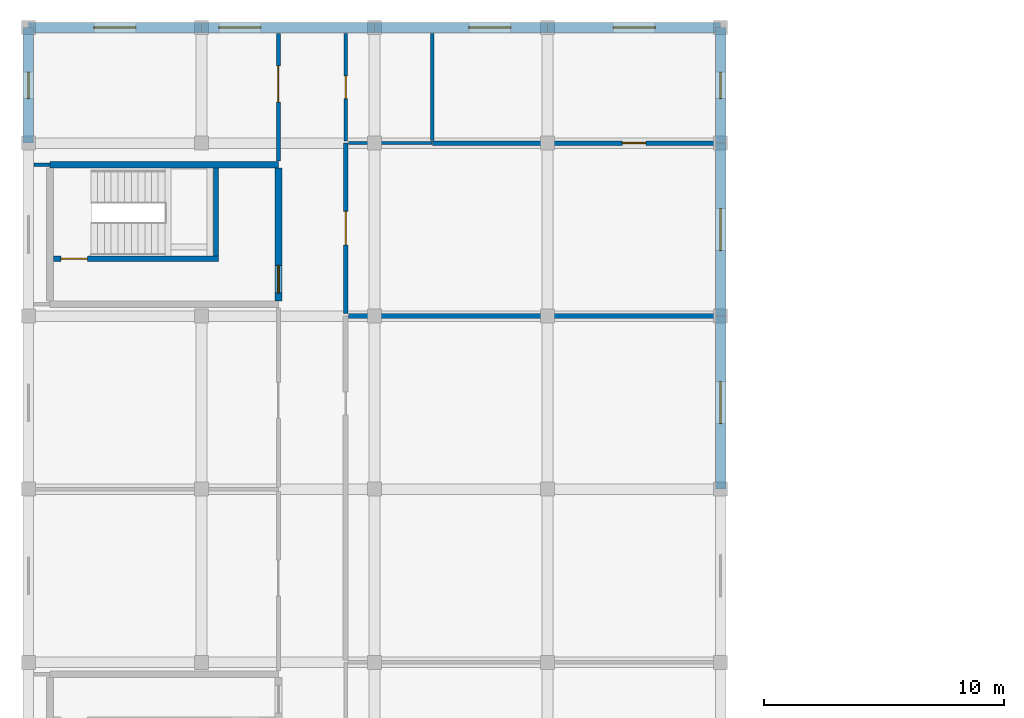
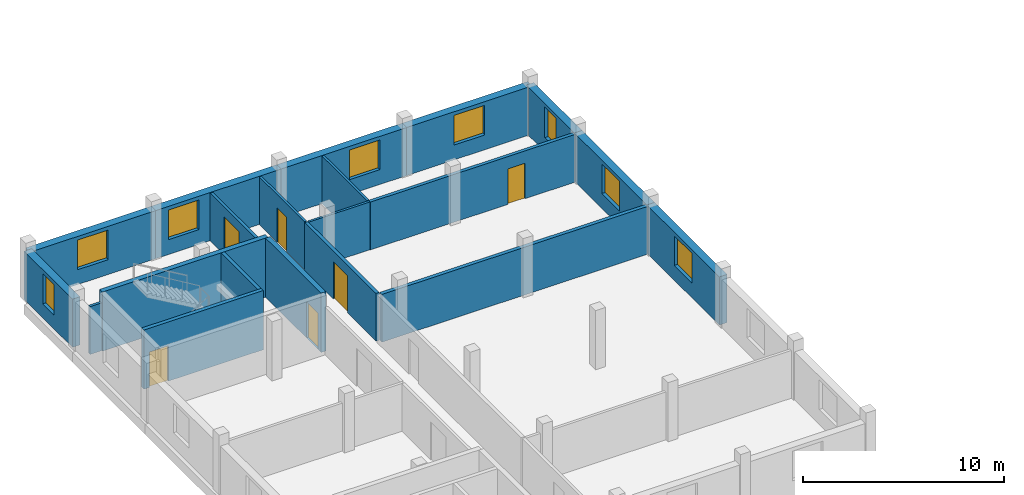
# One storey, part 114 of 128: 20 walls, 8 windows, 6 doors, 14 openings.
"""IFC4 building model written with IfcOpenShell, lengths in metres."""

from ifc_helpers import new_model, si_unit, direction, frame, frame_2d, origin, place, context, subcontext, project, spatial, rectangle, extrude, material, layer, layer_set, type_object, element, fill, save


model = new_model("IFC4")

# Units and contexts
model_context = context("Model", 3, precision=1e-05, world=origin(), true_north=direction((0.0, 1.0)))
body_context = subcontext(model_context, "Body", "Model", "MODEL_VIEW")
ifc_project = project(units=[si_unit("LENGTHUNIT", "METRE"), si_unit("AREAUNIT", "SQUARE_METRE"), si_unit("VOLUMEUNIT", "CUBIC_METRE"), si_unit("PLANEANGLEUNIT", "RADIAN"), si_unit("MASSUNIT", "GRAM", prefix="KILO")], contexts=[model_context])

# Site, building, storey
site_placement = place(None, origin())
site = spatial("IfcSite", under=ifc_project, at=site_placement, CompositionType="ELEMENT")
building_placement = place(site_placement, origin())
building = spatial("IfcBuilding", under=site, at=building_placement, Name="Zornivar Specialist Clinic", CompositionType="ELEMENT")
storey_placement = place(building_placement, frame((0.0, 0.0, 4.5)))
storey = spatial("IfcBuildingStorey", under=building, at=storey_placement, Name="L01", CompositionType="ELEMENT", Elevation=4.5)

# Wall, opening, window
ifc_material_1 = material(Name="Masonry Rusticated Vratsa Limestone Procedure Base Wall", Category="masonry")
ifc_layer_1 = layer(ifc_material_1, 0.43994140625)
ifc_layer_set_1 = layer_set([ifc_layer_1], Name="Masonry Rusticated Vratsa Limestone Procedure Base Wall")
wall_type_1 = type_object("IfcWallType", Name="EW-PLINTH-WEST-440", PredefinedType="SOLIDWALL", material=ifc_layer_set_1)
wall_1_placement = place(storey_placement, frame((28.800048828125, 93.60009765625, 0.0), z_axis=(0.0, 0.0, 1.0), x_axis=(0.0, 1.0, 0.0)))
wall_1 = element("IfcWall", 1, at=wall_1_placement, inside=storey, type_object=wall_type_1, Name="ew:V5:L01:06", PredefinedType="SOLIDWALL", context=body_context, shape_type="SweptSolid", body=[
    extrude(rectangle(XDim=7.199951171875, YDim=0.43994140625, at=frame_2d((3.60009765625, 0.0))), origin(), (0.0, 0.0, 1.0), 2.919921875),
])
opening_1_placement = place(wall_1_placement, frame((2.72509765625, 0.0, 0.89990234375)))
opening_1 = element("IfcOpeningElement", 2, at=opening_1_placement, cuts=wall_1, Name="Opening W-17", PredefinedType="OPENING", context=body_context, shape_type="SweptSolid", body=[
    extrude(rectangle(XDim=1.75, YDim=1.800048828125, at=frame_2d((0.875, 0.89990234375))), frame((0.0, 0.22998046875, 0.0), z_axis=(0.0, -1.0, 0.0), x_axis=(1.0, 0.0, 0.0)), (0.0, 0.0, 1.0), 0.4599609375),
])
ifc_material_2 = material(Name="Triple-Glazed Aluminium-Timber Window Glass", Category="wood")
window_type_1 = type_object("IfcWindowType", Name="WIN-PROC-COURT-1750x1800", PartitioningType="SINGLE_PANEL", PredefinedType="WINDOW", material=ifc_material_2)
window_1_placement = place(opening_1_placement, origin())
window_1 = element("IfcWindow", 3, at=window_1_placement, inside=storey, type_object=window_type_1, Name="win:V5:L01:06", OverallHeight=1.800048828125, OverallWidth=1.75, PartitioningType="SINGLE_PANEL", PredefinedType="WINDOW", context=body_context, shape_type="SweptSolid", body=[
    extrude(rectangle(XDim=1.75, YDim=1.800048828125, at=frame_2d((0.875, 0.89990234375))), frame((0.0, 0.030029296875, 0.0), z_axis=(0.0, -1.0, 0.0), x_axis=(1.0, 0.0, 0.0)), (0.0, 0.0, 1.0), 0.06005859375),
])
fill(opening_1, window_1)

wall_2_placement = place(storey_placement, frame((28.800048828125, 100.800048828125, 0.0), z_axis=(0.0, 0.0, 1.0), x_axis=(0.0, 1.0, 0.0)))
wall_2 = element("IfcWall", 4, at=wall_2_placement, inside=storey, type_object=wall_type_1, Name="ew:V5:L01:07", PredefinedType="SOLIDWALL", context=body_context, shape_type="SweptSolid", body=[
    extrude(rectangle(XDim=7.199951171875, YDim=0.43994140625, at=frame_2d((3.60009765625, 0.0))), origin(), (0.0, 0.0, 1.0), 2.919921875),
])
opening_2_placement = place(wall_2_placement, frame((2.72509765625, 0.0, 0.89990234375)))
opening_2 = element("IfcOpeningElement", 5, at=opening_2_placement, cuts=wall_2, Name="Opening W-17", PredefinedType="OPENING", context=body_context, shape_type="SweptSolid", body=[
    extrude(rectangle(XDim=1.75, YDim=1.800048828125, at=frame_2d((0.875, 0.89990234375))), frame((0.0, 0.22998046875, 0.0), z_axis=(0.0, -1.0, 0.0), x_axis=(1.0, 0.0, 0.0)), (0.0, 0.0, 1.0), 0.4599609375),
])
window_2_placement = place(opening_2_placement, origin())
window_2 = element("IfcWindow", 6, at=window_2_placement, inside=storey, type_object=window_type_1, Name="win:V5:L01:07", OverallHeight=1.800048828125, OverallWidth=1.75, PartitioningType="SINGLE_PANEL", PredefinedType="WINDOW", context=body_context, shape_type="SweptSolid", body=[
    extrude(rectangle(XDim=1.75, YDim=1.800048828125, at=frame_2d((0.875, 0.89990234375))), frame((0.0, 0.030029296875, 0.0), z_axis=(0.0, -1.0, 0.0), x_axis=(1.0, 0.0, 0.0)), (0.0, 0.0, 1.0), 0.06005859375),
])
fill(opening_2, window_2)

wall_3_placement = place(storey_placement, frame((28.800048828125, 108.0, 0.0), z_axis=(0.0, 0.0, 1.0), x_axis=(0.0, 1.0, 0.0)))
wall_3 = element("IfcWall", 7, at=wall_3_placement, inside=storey, type_object=wall_type_1, Name="ew:V5:L01:08", PredefinedType="SOLIDWALL", context=body_context, shape_type="SweptSolid", body=[
    extrude(rectangle(XDim=4.800048828125, YDim=0.43994140625, at=frame_2d((2.39990234375, 0.0))), origin(), (0.0, 0.0, 1.0), 2.919921875),
])
opening_3_placement = place(wall_3_placement, frame((1.85009765625, 0.0, 0.85009765625)))
opening_3 = element("IfcOpeningElement", 8, at=opening_3_placement, cuts=wall_3, Name="Opening W-07", PredefinedType="OPENING", context=body_context, shape_type="SweptSolid", body=[
    extrude(rectangle(XDim=1.10009765625, YDim=1.85009765625, at=frame_2d((0.550048828125, 0.925048828125))), frame((0.0, 0.22998046875, 0.0), z_axis=(0.0, -1.0, 0.0), x_axis=(1.0, 0.0, 0.0)), (0.0, 0.0, 1.0), 0.4599609375),
])
ifc_material_3 = material(Name="Triple-Glazed Aluminium-Timber Window Glass", Category="wood")
window_type_2 = type_object("IfcWindowType", Name="WIN-OUTP-PIER-1100x1850", PartitioningType="SINGLE_PANEL", PredefinedType="WINDOW", material=ifc_material_3)
window_3_placement = place(opening_3_placement, origin())
window_3 = element("IfcWindow", 9, at=window_3_placement, inside=storey, type_object=window_type_2, Name="win:V5:L01:08", OverallHeight=1.85009765625, OverallWidth=1.10009765625, PartitioningType="SINGLE_PANEL", PredefinedType="WINDOW", context=body_context, shape_type="SweptSolid", body=[
    extrude(rectangle(XDim=1.10009765625, YDim=1.85009765625, at=frame_2d((0.550048828125, 0.925048828125))), frame((0.0, 0.030029296875, 0.0), z_axis=(0.0, -1.0, 0.0), x_axis=(1.0, 0.0, 0.0)), (0.0, 0.0, 1.0), 0.06005859375),
])
fill(opening_3, window_3)

wall_4_placement = place(storey_placement, frame((28.800048828125, 112.800048828125, 0.0), z_axis=(0.0, 0.0, 1.0), x_axis=(-1.0, 0.0, 0.0)))
wall_4 = element("IfcWall", 10, at=wall_4_placement, inside=storey, type_object=wall_type_1, Name="ew:V5:L01:09", PredefinedType="SOLIDWALL", context=body_context, shape_type="SweptSolid", body=[
    extrude(rectangle(XDim=7.199951171875, YDim=0.43994140625, at=frame_2d((3.60009765625, 0.0))), origin(), (0.0, 0.0, 1.0), 2.919921875),
])
opening_4_placement = place(wall_4_placement, frame((2.72509765625, 0.0, 0.89990234375)))
opening_4 = element("IfcOpeningElement", 11, at=opening_4_placement, cuts=wall_4, Name="Opening W-17", PredefinedType="OPENING", context=body_context, shape_type="SweptSolid", body=[
    extrude(rectangle(XDim=1.75, YDim=1.800048828125, at=frame_2d((0.875, 0.89990234375))), frame((0.0, 0.22998046875, 0.0), z_axis=(0.0, -1.0, 0.0), x_axis=(1.0, 0.0, 0.0)), (0.0, 0.0, 1.0), 0.4599609375),
])
window_4_placement = place(opening_4_placement, origin())
window_4 = element("IfcWindow", 12, at=window_4_placement, inside=storey, type_object=window_type_1, Name="win:V5:L01:09", OverallHeight=1.800048828125, OverallWidth=1.75, PartitioningType="SINGLE_PANEL", PredefinedType="WINDOW", context=body_context, shape_type="SweptSolid", body=[
    extrude(rectangle(XDim=1.75, YDim=1.800048828125, at=frame_2d((0.875, 0.89990234375))), frame((0.0, 0.030029296875, 0.0), z_axis=(0.0, -1.0, 0.0), x_axis=(1.0, 0.0, 0.0)), (0.0, 0.0, 1.0), 0.06005859375),
])
fill(opening_4, window_4)

wall_5_placement = place(storey_placement, frame((21.60009765625, 112.800048828125, 0.0), z_axis=(0.0, 0.0, 1.0), x_axis=(-1.0, 0.0, 0.0)))
wall_5 = element("IfcWall", 13, at=wall_5_placement, inside=storey, type_object=wall_type_1, Name="ew:V5:L01:10", PredefinedType="SOLIDWALL", context=body_context, shape_type="SweptSolid", body=[
    extrude(rectangle(XDim=7.2001953125, YDim=0.43994140625, at=frame_2d((3.60009765625, 0.0))), origin(), (0.0, 0.0, 1.0), 2.919921875),
])
opening_5_placement = place(wall_5_placement, frame((1.52490234375, 0.0, 0.89990234375)))
opening_5 = element("IfcOpeningElement", 14, at=opening_5_placement, cuts=wall_5, Name="Opening W-17", PredefinedType="OPENING", context=body_context, shape_type="SweptSolid", body=[
    extrude(rectangle(XDim=1.75, YDim=1.800048828125, at=frame_2d((0.875, 0.89990234375))), frame((0.0, 0.22998046875, 0.0), z_axis=(0.0, -1.0, 0.0), x_axis=(1.0, 0.0, 0.0)), (0.0, 0.0, 1.0), 0.4599609375),
])
window_5_placement = place(opening_5_placement, origin())
window_5 = element("IfcWindow", 15, at=window_5_placement, inside=storey, type_object=window_type_1, Name="win:V5:L01:10", OverallHeight=1.800048828125, OverallWidth=1.75, PartitioningType="SINGLE_PANEL", PredefinedType="WINDOW", context=body_context, shape_type="SweptSolid", body=[
    extrude(rectangle(XDim=1.75, YDim=1.800048828125, at=frame_2d((0.875, 0.89990234375))), frame((0.0, 0.030029296875, 0.0), z_axis=(0.0, -1.0, 0.0), x_axis=(1.0, 0.0, 0.0)), (0.0, 0.0, 1.0), 0.06005859375),
])
fill(opening_5, window_5)

wall_6_placement = place(storey_placement, frame((14.39990234375, 112.800048828125, 0.0), z_axis=(0.0, 0.0, 1.0), x_axis=(-1.0, 0.0, 0.0)))
wall_6 = element("IfcWall", 16, at=wall_6_placement, inside=storey, type_object=wall_type_1, Name="ew:V5:L01:11", PredefinedType="SOLIDWALL", context=body_context, shape_type="SweptSolid", body=[
    extrude(rectangle(XDim=7.199951171875, YDim=0.43994140625, at=frame_2d((3.60009765625, 0.0))), origin(), (0.0, 0.0, 1.0), 2.919921875),
])
opening_6_placement = place(wall_6_placement, frame((4.72509765625, 0.0, 0.89990234375)))
opening_6 = element("IfcOpeningElement", 17, at=opening_6_placement, cuts=wall_6, Name="Opening W-17", PredefinedType="OPENING", context=body_context, shape_type="SweptSolid", body=[
    extrude(rectangle(XDim=1.75, YDim=1.800048828125, at=frame_2d((0.875, 0.89990234375))), frame((0.0, 0.22998046875, 0.0), z_axis=(0.0, -1.0, 0.0), x_axis=(1.0, 0.0, 0.0)), (0.0, 0.0, 1.0), 0.4599609375),
])
window_6_placement = place(opening_6_placement, origin())
window_6 = element("IfcWindow", 18, at=window_6_placement, inside=storey, type_object=window_type_1, Name="win:V5:L01:11", OverallHeight=1.800048828125, OverallWidth=1.75, PartitioningType="SINGLE_PANEL", PredefinedType="WINDOW", context=body_context, shape_type="SweptSolid", body=[
    extrude(rectangle(XDim=1.75, YDim=1.800048828125, at=frame_2d((0.875, 0.89990234375))), frame((0.0, 0.030029296875, 0.0), z_axis=(0.0, -1.0, 0.0), x_axis=(1.0, 0.0, 0.0)), (0.0, 0.0, 1.0), 0.06005859375),
])
fill(opening_6, window_6)

wall_7_placement = place(storey_placement, frame((7.199951171875, 112.800048828125, 0.0), z_axis=(0.0, 0.0, 1.0), x_axis=(-1.0, 0.0, 0.0)))
wall_7 = element("IfcWall", 19, at=wall_7_placement, inside=storey, type_object=wall_type_1, Name="ew:V5:L01:12", PredefinedType="SOLIDWALL", context=body_context, shape_type="SweptSolid", body=[
    extrude(rectangle(XDim=7.199951171875, YDim=0.43994140625, at=frame_2d((3.60009765625, 0.0))), origin(), (0.0, 0.0, 1.0), 2.919921875),
])
opening_7_placement = place(wall_7_placement, frame((2.72509765625, 0.0, 0.89990234375)))
opening_7 = element("IfcOpeningElement", 20, at=opening_7_placement, cuts=wall_7, Name="Opening W-17", PredefinedType="OPENING", context=body_context, shape_type="SweptSolid", body=[
    extrude(rectangle(XDim=1.75, YDim=1.800048828125, at=frame_2d((0.875, 0.89990234375))), frame((0.0, 0.22998046875, 0.0), z_axis=(0.0, -1.0, 0.0), x_axis=(1.0, 0.0, 0.0)), (0.0, 0.0, 1.0), 0.4599609375),
])
window_7_placement = place(opening_7_placement, origin())
window_7 = element("IfcWindow", 21, at=window_7_placement, inside=storey, type_object=window_type_1, Name="win:V5:L01:12", OverallHeight=1.800048828125, OverallWidth=1.75, PartitioningType="SINGLE_PANEL", PredefinedType="WINDOW", context=body_context, shape_type="SweptSolid", body=[
    extrude(rectangle(XDim=1.75, YDim=1.800048828125, at=frame_2d((0.875, 0.89990234375))), frame((0.0, 0.030029296875, 0.0), z_axis=(0.0, -1.0, 0.0), x_axis=(1.0, 0.0, 0.0)), (0.0, 0.0, 1.0), 0.06005859375),
])
fill(opening_7, window_7)

wall_8_placement = place(storey_placement, frame((0.0, 112.800048828125, 0.0), z_axis=(0.0, 0.0, 1.0), x_axis=(0.0, -1.0, 0.0)))
wall_8 = element("IfcWall", 22, at=wall_8_placement, inside=storey, type_object=wall_type_1, Name="ew:V5:L01:13", PredefinedType="SOLIDWALL", context=body_context, shape_type="SweptSolid", body=[
    extrude(rectangle(XDim=4.800048828125, YDim=0.43994140625, at=frame_2d((2.39990234375, 0.0))), origin(), (0.0, 0.0, 1.0), 2.919921875),
])
opening_8_placement = place(wall_8_placement, frame((1.85009765625, 0.0, 0.85009765625)))
opening_8 = element("IfcOpeningElement", 23, at=opening_8_placement, cuts=wall_8, Name="Opening W-07", PredefinedType="OPENING", context=body_context, shape_type="SweptSolid", body=[
    extrude(rectangle(XDim=1.10009765625, YDim=1.85009765625, at=frame_2d((0.550048828125, 0.925048828125))), frame((0.0, 0.22998046875, 0.0), z_axis=(0.0, -1.0, 0.0), x_axis=(1.0, 0.0, 0.0)), (0.0, 0.0, 1.0), 0.4599609375),
])
window_8_placement = place(opening_8_placement, origin())
window_8 = element("IfcWindow", 24, at=window_8_placement, inside=storey, type_object=window_type_2, Name="win:V5:L01:13", OverallHeight=1.85009765625, OverallWidth=1.10009765625, PartitioningType="SINGLE_PANEL", PredefinedType="WINDOW", context=body_context, shape_type="SweptSolid", body=[
    extrude(rectangle(XDim=1.10009765625, YDim=1.85009765625, at=frame_2d((0.550048828125, 0.925048828125))), frame((0.0, 0.030029296875, 0.0), z_axis=(0.0, -1.0, 0.0), x_axis=(1.0, 0.0, 0.0)), (0.0, 0.0, 1.0), 0.06005859375),
])
fill(opening_8, window_8)

# Wall, opening, door
ifc_material_4 = material(Name="Gypsum Fire-Rated Double Stud Partition")
ifc_layer_2 = layer(ifc_material_4, 0.159912109375)
ifc_layer_set_2 = layer_set([ifc_layer_2], Name="Gypsum Fire-Rated Double Stud Partition")
wall_type_2 = type_object("IfcWallType", Name="IW-CORR-EI60-160", PredefinedType="PARTITIONING", material=ifc_layer_set_2)
wall_9_placement = place(storey_placement, frame((10.39990234375, 112.56494140625, 0.0), z_axis=(0.0, 0.0, 1.0), x_axis=(0.0, -1.0, 0.0)))
wall_9 = element("IfcWall", 25, at=wall_9_placement, inside=storey, type_object=wall_type_2, Name="iw:L01:145", PredefinedType="PARTITIONING", context=body_context, shape_type="SweptSolid", body=[
    extrude(rectangle(XDim=5.31005859375, YDim=0.159912109375, at=frame_2d((2.655029296875, 0.0))), origin(), (0.0, 0.0, 1.0), 2.89990234375),
])
opening_9_placement = place(wall_9_placement, frame((1.35693359375, 0.0, 0.0)))
opening_9 = element("IfcOpeningElement", 26, at=opening_9_placement, cuts=wall_9, Name="Opening ID-01", PredefinedType="OPENING", context=body_context, shape_type="SweptSolid", body=[
    extrude(rectangle(XDim=1.5, YDim=2.300048828125, at=frame_2d((0.75, 1.14990234375))), frame((0.0, 0.08984375, 0.0), z_axis=(0.0, -1.0, 0.0), x_axis=(1.0, 0.0, 0.0)), (0.0, 0.0, 1.0), 0.179931640625),
])
ifc_material_5 = material(Name="Solid-Core Hygienic Laminate Timber Door", Category="wood")
door_type_1 = type_object("IfcDoorType", Name="ID-OR-SUITE-1500x2300", OperationType="NOTDEFINED", PredefinedType="DOOR", material=ifc_material_5)
door_1_placement = place(opening_9_placement, origin())
door_1 = element("IfcDoor", 27, at=door_1_placement, inside=storey, type_object=door_type_1, Name="door:space:V5:L01:rm:02", OperationType="DOUBLE_DOOR_SINGLE_SWING", OverallHeight=2.300048828125, OverallWidth=1.5, PredefinedType="DOOR", context=body_context, shape_type="SweptSolid", body=[
    extrude(rectangle(XDim=1.5, YDim=2.300048828125, at=frame_2d((0.75, 1.14990234375))), frame((0.0, 0.02490234375, 0.0), z_axis=(0.0, -1.0, 0.0), x_axis=(1.0, 0.0, 0.0)), (0.0, 0.0, 1.0), 0.050048828125),
])
fill(opening_9, door_1)

# Wall
ifc_material_6 = material(Name="Waterproofed Hydrotherapy and Changing Partition")
ifc_layer_3 = layer(ifc_material_6, 0.2099609375)
ifc_layer_set_3 = layer_set([ifc_layer_3], Name="Waterproofed Hydrotherapy and Changing Partition")
wall_type_3 = type_object("IfcWallType", Name="IW-HYDRO-WET-210", PredefinedType="PARTITIONING", material=ifc_layer_set_3)
wall_10_placement = place(storey_placement, frame((13.319091796875, 100.800048828125, 0.0), z_axis=(0.0, 0.0, 1.0), x_axis=(1.0, 0.0, 0.0)))
element("IfcWall", 28, at=wall_10_placement, inside=storey, type_object=wall_type_3, Name="iw:L01:150", PredefinedType="PARTITIONING", context=body_context, shape_type="SweptSolid", body=[
    extrude(rectangle(XDim=15.245849609375, YDim=0.2099609375, at=frame_2d((7.623046875, 0.0))), origin(), (0.0, 0.0, 1.0), 2.89990234375),
])

# Wall, opening, door
ifc_material_7 = material(Name="GMP Cleanroom Insulated Double Partition")
ifc_layer_4 = layer(ifc_material_7, 0.18994140625)
ifc_layer_set_4 = layer_set([ifc_layer_4], Name="GMP Cleanroom Insulated Double Partition")
wall_type_4 = type_object("IfcWallType", Name="IW-PHARM-GMP-190", PredefinedType="PARTITIONING", material=ifc_layer_set_4)
wall_11_placement = place(storey_placement, frame((13.199951171875, 100.9189453125, 0.0), z_axis=(0.0, 0.0, 1.0), x_axis=(0.0, 1.0, 0.0)))
wall_11 = element("IfcWall", 29, at=wall_11_placement, inside=storey, type_object=wall_type_4, Name="iw:L01:151", PredefinedType="PARTITIONING", context=body_context, shape_type="SweptSolid", body=[
    extrude(rectangle(XDim=7.0810546875, YDim=0.18994140625, at=frame_2d((3.54052734375, 0.0))), origin(), (0.0, 0.0, 1.0), 2.89990234375),
])
opening_10_placement = place(wall_11_placement, frame((2.841064453125, 0.0, 0.0)))
opening_10 = element("IfcOpeningElement", 30, at=opening_10_placement, cuts=wall_11, Name="Opening FD-04", PredefinedType="OPENING", context=body_context, shape_type="SweptSolid", body=[
    extrude(rectangle(XDim=1.39990234375, YDim=2.25, at=frame_2d((0.699951171875, 1.125))), frame((0.0, 0.10498046875, 0.0), z_axis=(0.0, -1.0, 0.0), x_axis=(1.0, 0.0, 0.0)), (0.0, 0.0, 1.0), 0.2099609375),
])
ifc_material_8 = material(Name="Solid-Core Hygienic Laminate Timber Door", Category="wood")
door_type_2 = type_object("IfcDoorType", Name="FD-STERILE-1400x2250", OperationType="NOTDEFINED", PredefinedType="DOOR", material=ifc_material_8)
door_2_placement = place(opening_10_placement, origin())
door_2 = element("IfcDoor", 31, at=door_2_placement, inside=storey, type_object=door_type_2, Name="door:space:V5:L01:rm:05", OperationType="DOUBLE_DOOR_SINGLE_SWING", OverallHeight=2.25, OverallWidth=1.39990234375, PredefinedType="DOOR", context=body_context, shape_type="SweptSolid", body=[
    extrude(rectangle(XDim=1.39990234375, YDim=2.25, at=frame_2d((0.699951171875, 1.125))), frame((0.0, 0.02490234375, 0.0), z_axis=(0.0, -1.0, 0.0), x_axis=(1.0, 0.0, 0.0)), (0.0, 0.0, 1.0), 0.050048828125),
])
fill(opening_10, door_2)

wall_12_placement = place(storey_placement, frame((16.81201171875, 108.0, 0.0), z_axis=(0.0, 0.0, 1.0), x_axis=(1.0, 0.0, 0.0)))
wall_12 = element("IfcWall", 32, at=wall_12_placement, inside=storey, type_object=wall_type_4, Name="iw:L01:153", PredefinedType="PARTITIONING", context=body_context, shape_type="SweptSolid", body=[
    extrude(rectangle(XDim=11.7529296875, YDim=0.18994140625, at=frame_2d((5.87646484375, 0.0))), origin(), (0.0, 0.0, 1.0), 2.89990234375),
])
opening_11_placement = place(wall_12_placement, frame((7.89990234375, 0.0, 0.0)))
opening_11 = element("IfcOpeningElement", 33, at=opening_11_placement, cuts=wall_12, Name="Opening ID-09", PredefinedType="OPENING", context=body_context, shape_type="SweptSolid", body=[
    extrude(rectangle(XDim=0.97998046875, YDim=2.14990234375, at=frame_2d((0.489990234375, 1.074951171875))), frame((0.0, 0.10498046875, 0.0), z_axis=(0.0, -1.0, 0.0), x_axis=(1.0, 0.0, 0.0)), (0.0, 0.0, 1.0), 0.2099609375),
])
ifc_material_9 = material(Name="Solid-Core Hygienic Laminate Timber Door", Category="wood")
door_type_3 = type_object("IfcDoorType", Name="ID-STAFF-0980x2150", OperationType="NOTDEFINED", PredefinedType="DOOR", material=ifc_material_9)
door_3_placement = place(opening_11_placement, origin())
door_3 = element("IfcDoor", 34, at=door_3_placement, inside=storey, type_object=door_type_3, Name="door:space:V5:L01:rm:06b", OperationType="SINGLE_SWING_RIGHT", OverallHeight=2.14990234375, OverallWidth=0.97998046875, PredefinedType="DOOR", context=body_context, shape_type="SweptSolid", body=[
    extrude(rectangle(XDim=0.97998046875, YDim=2.14990234375, at=frame_2d((0.489990234375, 1.074951171875))), frame((0.0, 0.02490234375, 0.0), z_axis=(0.0, -1.0, 0.0), x_axis=(1.0, 0.0, 0.0)), (0.0, 0.0, 1.0), 0.050048828125),
])
fill(opening_11, door_3)

# Walls
ifc_material_10 = material(Name="Hygienic Lead-Free Procedure Partition")
ifc_layer_5 = layer(ifc_material_10, 0.14990234375)
ifc_layer_set_5 = layer_set([ifc_layer_5], Name="Hygienic Lead-Free Procedure Partition")
wall_type_5 = type_object("IfcWallType", Name="IW-PROC-150", PredefinedType="PARTITIONING", material=ifc_layer_set_5)
wall_13_placement = place(storey_placement, frame((0.89990234375, 107.10009765625, 0.0), z_axis=(0.0, 0.0, 1.0), x_axis=(-1.0, 0.0, 0.0)))
element("IfcWall", 35, at=wall_13_placement, inside=storey, type_object=wall_type_5, Name="iw:L01:146", PredefinedType="PARTITIONING", context=body_context, shape_type="SweptSolid", body=[
    extrude(rectangle(XDim=0.664794921875, YDim=0.14990234375, at=frame_2d((0.33251953125, 0.0))), origin(), (0.0, 0.0, 1.0), 2.89990234375),
])
ifc_material_11 = material(Name="Moisture-Resistant Sanitary Partition")
ifc_layer_6 = layer(ifc_material_11, 0.1298828125)
ifc_layer_set_6 = layer_set([ifc_layer_6], Name="Moisture-Resistant Sanitary Partition")
wall_type_6 = type_object("IfcWallType", Name="IW-WET-130", PredefinedType="PARTITIONING", material=ifc_layer_set_6)
wall_14_placement = place(storey_placement, frame((13.30908203125, 108.0, 0.0), z_axis=(0.0, 0.0, 1.0), x_axis=(1.0, 0.0, 0.0)))
element("IfcWall", 36, at=wall_14_placement, inside=storey, type_object=wall_type_6, Name="iw:L01:152", PredefinedType="PARTITIONING", context=body_context, shape_type="SweptSolid", body=[
    extrude(rectangle(XDim=3.490966796875, YDim=0.1298828125, at=frame_2d((1.74560546875, 0.0))), origin(), (0.0, 0.0, 1.0), 2.89990234375),
])
wall_15_placement = place(storey_placement, frame((16.800048828125, 112.56494140625, 0.0), z_axis=(0.0, 0.0, 1.0), x_axis=(0.0, -1.0, 0.0)))
element("IfcWall", 37, at=wall_15_placement, inside=storey, type_object=wall_type_6, Name="iw:L01:154", PredefinedType="PARTITIONING", context=body_context, shape_type="SweptSolid", body=[
    extrude(rectangle(XDim=4.4560546875, YDim=0.1298828125, at=frame_2d((2.22802734375, 0.0))), origin(), (0.0, 0.0, 1.0), 2.89990234375),
])

# Wall, opening, door
wall_16_placement = place(storey_placement, frame((13.199951171875, 108.0791015625, 0.0), z_axis=(0.0, 0.0, 1.0), x_axis=(0.0, 1.0, 0.0)))
wall_16 = element("IfcWall", 38, at=wall_16_placement, inside=storey, type_object=wall_type_6, Name="iw:L01:155", PredefinedType="PARTITIONING", context=body_context, shape_type="SweptSolid", body=[
    extrude(rectangle(XDim=4.48583984375, YDim=0.1298828125, at=frame_2d((2.242919921875, 0.0))), origin(), (0.0, 0.0, 1.0), 2.89990234375),
])
opening_12_placement = place(wall_16_placement, frame((1.76806640625, 0.0, 0.0)))
opening_12 = element("IfcOpeningElement", 39, at=opening_12_placement, cuts=wall_16, Name="Opening ID-07", PredefinedType="OPENING", context=body_context, shape_type="SweptSolid", body=[
    extrude(rectangle(XDim=0.949951171875, YDim=2.10009765625, at=frame_2d((0.47509765625, 1.050048828125))), frame((0.0, 0.074951171875, 0.0), z_axis=(0.0, -1.0, 0.0), x_axis=(1.0, 0.0, 0.0)), (0.0, 0.0, 1.0), 0.14990234375),
])
ifc_material_12 = material(Name="Solid-Core Hygienic Laminate Timber Door", Category="wood")
door_type_4 = type_object("IfcDoorType", Name="ID-WC-ACC-0950x2100", OperationType="NOTDEFINED", PredefinedType="DOOR", material=ifc_material_12)
door_4_placement = place(opening_12_placement, origin())
door_4 = element("IfcDoor", 40, at=door_4_placement, inside=storey, type_object=door_type_4, Name="door:space:V5:L01:rm:06", OperationType="SINGLE_SWING_LEFT", OverallHeight=2.10009765625, OverallWidth=0.949951171875, PredefinedType="DOOR", context=body_context, shape_type="SweptSolid", body=[
    extrude(rectangle(XDim=0.949951171875, YDim=2.10009765625, at=frame_2d((0.47509765625, 1.050048828125))), frame((0.0, 0.02490234375, 0.0), z_axis=(0.0, -1.0, 0.0), x_axis=(1.0, 0.0, 0.0)), (0.0, 0.0, 1.0), 0.050048828125),
])
fill(opening_12, door_4)

ifc_material_13 = material(Name="Concrete C35/45", Category="concrete")
ifc_layer_7 = layer(ifc_material_13, 0.280029296875)
ifc_layer_set_7 = layer_set([ifc_layer_7], Name="Concrete C35/45")
wall_type_7 = type_object("IfcWallType", Name="SW-CORE-280", PredefinedType="SHEAR", material=ifc_layer_set_7)
wall_17_placement = place(storey_placement, frame((10.39990234375, 101.43994140625, 0.0), z_axis=(0.0, 0.0, 1.0), x_axis=(0.0, 1.0, 0.0)))
wall_17 = element("IfcWall", 41, at=wall_17_placement, inside=storey, type_object=wall_type_7, Name="sw:C8:L01:w1", PredefinedType="SHEAR", context=body_context, shape_type="SweptSolid", body=[
    extrude(rectangle(XDim=5.52001953125, YDim=0.280029296875, at=frame_2d((2.760009765625, 0.0))), origin(), (0.0, 0.0, 1.0), 3.590087890625),
])
opening_13_placement = place(wall_17_placement, frame((0.320068359375, 0.0, 0.0)))
opening_13 = element("IfcOpeningElement", 42, at=opening_13_placement, cuts=wall_17, Name="Opening FD-03", PredefinedType="OPENING", context=body_context, shape_type="SweptSolid", body=[
    extrude(rectangle(XDim=1.14990234375, YDim=2.199951171875, at=frame_2d((0.574951171875, 1.10009765625))), frame((0.0, 0.14990234375, 0.0), z_axis=(0.0, -1.0, 0.0), x_axis=(1.0, 0.0, 0.0)), (0.0, 0.0, 1.0), 0.300048828125),
])
ifc_material_14 = material(Name="Solid-Core Hygienic Laminate Timber Door", Category="wood")
door_type_5 = type_object("IfcDoorType", Name="FD-LOBBY-UPPER-1150x2200", OperationType="NOTDEFINED", PredefinedType="DOOR", material=ifc_material_14)
door_5_placement = place(opening_13_placement, origin())
door_5 = element("IfcDoor", 43, at=door_5_placement, inside=storey, type_object=door_type_5, Name="door:C8:L01:lob", OperationType="SINGLE_SWING_RIGHT", OverallHeight=2.199951171875, OverallWidth=1.14990234375, PredefinedType="DOOR", context=body_context, shape_type="SweptSolid", body=[
    extrude(rectangle(XDim=1.14990234375, YDim=2.199951171875, at=frame_2d((0.574951171875, 1.10009765625))), frame((0.0, 0.02490234375, 0.0), z_axis=(0.0, -1.0, 0.0), x_axis=(1.0, 0.0, 0.0)), (0.0, 0.0, 1.0), 0.050048828125),
])
fill(opening_13, door_5)

# Walls
wall_18_placement = place(storey_placement, frame((10.39990234375, 107.10009765625, 0.0), z_axis=(0.0, 0.0, 1.0), x_axis=(-1.0, 0.0, 0.0)))
element("IfcWall", 44, at=wall_18_placement, inside=storey, type_object=wall_type_7, Name="sw:C8:L01:w2", PredefinedType="SHEAR", context=body_context, shape_type="SweptSolid", body=[
    extrude(rectangle(XDim=9.5, YDim=0.280029296875, at=frame_2d((4.75, 0.0))), origin(), (0.0, 0.0, 1.0), 3.590087890625),
])
ifc_material_15 = material(Name="Concrete C30/37", Category="concrete")
ifc_layer_8 = layer(ifc_material_15, 0.199951171875)
ifc_layer_set_8 = layer_set([ifc_layer_8], Name="Concrete C30/37")
wall_type_8 = type_object("IfcWallType", Name="SW-LIFT-200", PredefinedType="SHEAR", material=ifc_layer_set_8)
wall_19_placement = place(storey_placement, frame((7.800048828125, 103.300048828125, 0.0), z_axis=(0.0, 0.0, 1.0), x_axis=(0.0, 1.0, 0.0)))
element("IfcWall", 45, at=wall_19_placement, inside=storey, type_object=wall_type_8, Name="sw:C8:L01:sdiv", PredefinedType="SHEAR", context=body_context, shape_type="SweptSolid", body=[
    extrude(rectangle(XDim=3.659912109375, YDim=0.199951171875, at=frame_2d((1.830078125, 0.0))), origin(), (0.0, 0.0, 1.0), 3.590087890625),
])

# Wall, opening, door
ifc_material_16 = material(Name="Concrete C30/37", Category="concrete")
ifc_layer_9 = layer(ifc_material_16, 0.219970703125)
ifc_layer_set_9 = layer_set([ifc_layer_9], Name="Concrete C30/37")
wall_type_9 = type_object("IfcWallType", Name="SW-SHAFT-220", PredefinedType="SHEAR", material=ifc_layer_set_9)
wall_20_placement = place(storey_placement, frame((1.0400390625, 103.18994140625, 0.0), z_axis=(0.0, 0.0, 1.0), x_axis=(1.0, 0.0, 0.0)))
wall_20 = element("IfcWall", 46, at=wall_20_placement, inside=storey, type_object=wall_type_9, Name="sw:C8:L01:stwall", PredefinedType="SHEAR", context=body_context, shape_type="SweptSolid", body=[
    extrude(rectangle(XDim=6.85986328125, YDim=0.219970703125, at=frame_2d((3.429931640625, 0.0))), origin(), (0.0, 0.0, 1.0), 3.590087890625),
])
opening_14_placement = place(wall_20_placement, frame((0.31005859375, 0.0, 0.0)))
opening_14 = element("IfcOpeningElement", 47, at=opening_14_placement, cuts=wall_20, Name="Opening FD-02", PredefinedType="OPENING", context=body_context, shape_type="SweptSolid", body=[
    extrude(rectangle(XDim=1.10009765625, YDim=2.14990234375, at=frame_2d((0.550048828125, 1.074951171875))), frame((0.0, 0.119873046875, 0.0), z_axis=(0.0, -1.0, 0.0), x_axis=(1.0, 0.0, 0.0)), (0.0, 0.0, 1.0), 0.239990234375),
])
ifc_material_17 = material(Name="Solid-Core Hygienic Laminate Timber Door", Category="wood")
door_type_6 = type_object("IfcDoorType", Name="FD-STAIR-1100x2150", OperationType="NOTDEFINED", PredefinedType="DOOR", material=ifc_material_17)
door_6_placement = place(opening_14_placement, origin())
door_6 = element("IfcDoor", 48, at=door_6_placement, inside=storey, type_object=door_type_6, Name="door:C8:L01:stair", OperationType="SINGLE_SWING_LEFT", OverallHeight=2.14990234375, OverallWidth=1.10009765625, PredefinedType="DOOR", context=body_context, shape_type="SweptSolid", body=[
    extrude(rectangle(XDim=1.10009765625, YDim=2.14990234375, at=frame_2d((0.550048828125, 1.074951171875))), frame((0.0, 0.02490234375, 0.0), z_axis=(0.0, -1.0, 0.0), x_axis=(1.0, 0.0, 0.0)), (0.0, 0.0, 1.0), 0.050048828125),
])
fill(opening_14, door_6)

save(model, "model.ifc")
